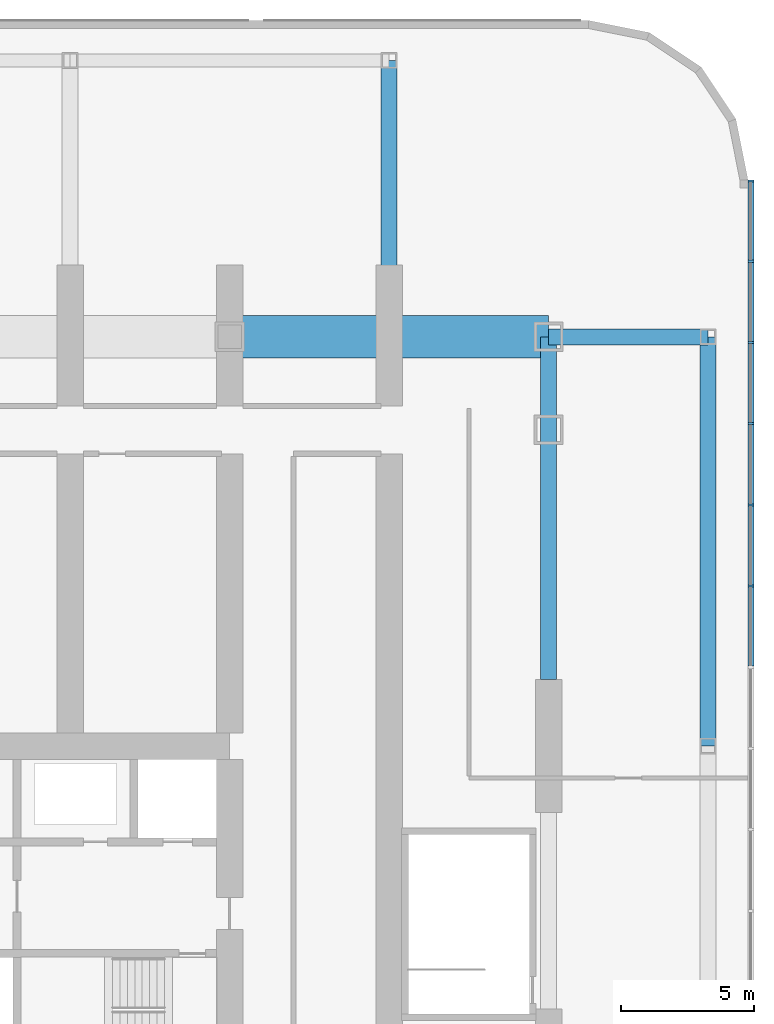
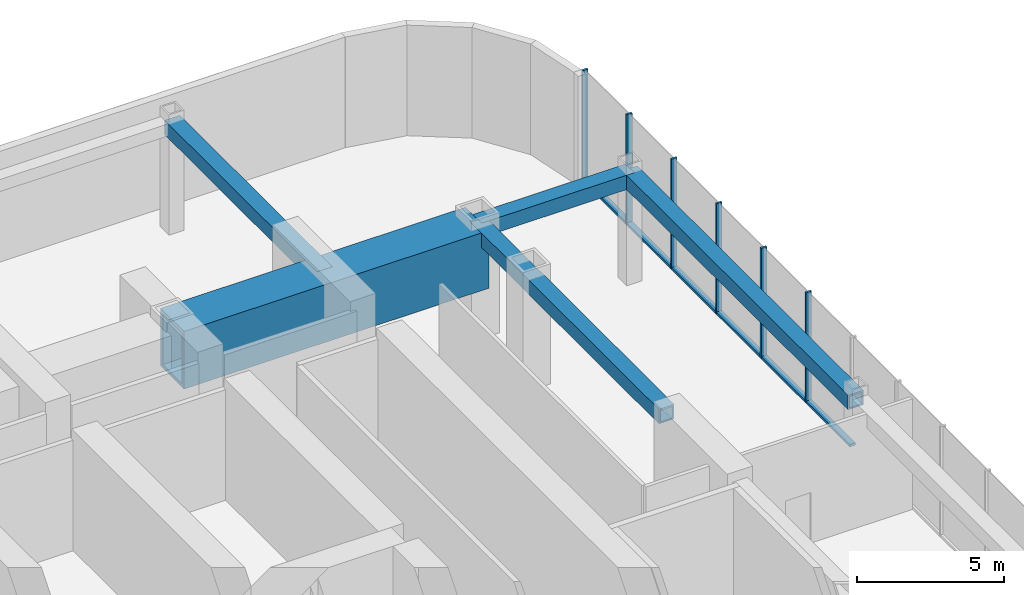
# One storey, part 9 of 26: 12 members, 5 beams, 1 element without a shape of its own.
"""IFC4 building model written with IfcOpenShell, lengths in metres."""

from ifc_helpers import new_model, si_unit, direction, frame, origin, origin_2d, place, context, subcontext, project, spatial, rectangle, hollow_rectangle, extrude, material, material_profile, profile_set, type_object, element, aggregate, save


model = new_model("IFC4")

# Units and contexts
model_context = context("Model", 3, precision=1e-05, world=origin(), true_north=direction((0.0, 1.0)))
body_context = subcontext(model_context, "Body", "Model", "MODEL_VIEW")
ifc_project = project(units=[si_unit("LENGTHUNIT", "METRE"), si_unit("AREAUNIT", "SQUARE_METRE"), si_unit("VOLUMEUNIT", "CUBIC_METRE"), si_unit("PLANEANGLEUNIT", "RADIAN"), si_unit("MASSUNIT", "GRAM", prefix="KILO")], contexts=[model_context])

# Site, building, storey
site_placement = place(None, origin())
site = spatial("IfcSite", under=ifc_project, at=site_placement, CompositionType="ELEMENT")
building_placement = place(site_placement, origin())
building = spatial("IfcBuilding", under=site, at=building_placement, Name="Orbita Commons", CompositionType="ELEMENT")
storey_placement = place(building_placement, frame((0.0, 0.0, 11.0)))
storey = spatial("IfcBuildingStorey", under=building, at=storey_placement, Name="L02", CompositionType="ELEMENT", Elevation=11.0)

# Curtain wall, members
ifc_material_1 = material(Name="Anodised aluminium frame, pale silver", Category="aluminium")
curtain_wall_type = type_object("IfcCurtainWallType", Name="Podium storefront curtain wall CW-P", PredefinedType="NOTDEFINED", material=ifc_material_1)
curtain_wall_placement = place(storey_placement, origin())
curtain_wall = element("IfcCurtainWall", 1, at=curtain_wall_placement, inside=storey, type_object=curtain_wall_type, Name="Curtain wall E 1 L02", PredefinedType="NOTDEFINED")
ifc_material_2 = material(Name="Anodised aluminium, pale silver", Category="aluminium")
ifc_material_profile_1 = material_profile(ifc_material_2, rectangle(XDim=0.080078125, YDim=0.219970703125, at=origin_2d()), Name="AL 80x220")
ifc_profile_set_1 = profile_set([ifc_material_profile_1], Name="Anodised aluminium, pale silver")
member_type_1 = type_object("IfcMemberType", Name="Curtain wall mullion 80x220", PredefinedType="MULLION", material=ifc_profile_set_1)
member_1_placement = place(storey_placement, frame((85.610107421875, 44.22216796875, 0.0), z_axis=(0.0, 0.0, 1.0), x_axis=(0.0, 1.0, 0.0)))
member_1 = element("IfcMember", 2, at=member_1_placement, type_object=member_type_1, Name="Mullion 14 CW-L02-E0", PredefinedType="MULLION", context=body_context, shape_type="SweptSolid", body=[
    extrude(rectangle(XDim=0.080078125, YDim=0.219970703125, at=origin_2d()), origin(), (0.0, 0.0, 1.0), 4.60009765625),
])
member_2_placement = place(storey_placement, frame((85.610107421875, 47.27783203125, 0.0), z_axis=(0.0, 0.0, 1.0), x_axis=(0.0, 1.0, 0.0)))
member_2 = element("IfcMember", 3, at=member_2_placement, type_object=member_type_1, Name="Mullion 15 CW-L02-E0", PredefinedType="MULLION", context=body_context, shape_type="SweptSolid", body=[
    extrude(rectangle(XDim=0.080078125, YDim=0.219970703125, at=origin_2d()), origin(), (0.0, 0.0, 1.0), 4.60009765625),
])
member_3_placement = place(storey_placement, frame((85.610107421875, 50.333251953125, 0.0), z_axis=(0.0, 0.0, 1.0), x_axis=(0.0, 1.0, 0.0)))
member_3 = element("IfcMember", 4, at=member_3_placement, type_object=member_type_1, Name="Mullion 16 CW-L02-E0", PredefinedType="MULLION", context=body_context, shape_type="SweptSolid", body=[
    extrude(rectangle(XDim=0.080078125, YDim=0.219970703125, at=origin_2d()), origin(), (0.0, 0.0, 1.0), 4.60009765625),
])
member_4_placement = place(storey_placement, frame((85.610107421875, 53.388916015625, 0.0), z_axis=(0.0, 0.0, 1.0), x_axis=(0.0, 1.0, 0.0)))
member_4 = element("IfcMember", 5, at=member_4_placement, type_object=member_type_1, Name="Mullion 17 CW-L02-E0", PredefinedType="MULLION", context=body_context, shape_type="SweptSolid", body=[
    extrude(rectangle(XDim=0.080078125, YDim=0.219970703125, at=origin_2d()), origin(), (0.0, 0.0, 1.0), 4.60009765625),
])
member_5_placement = place(storey_placement, frame((85.610107421875, 56.4443359375, 0.0), z_axis=(0.0, 0.0, 1.0), x_axis=(0.0, 1.0, 0.0)))
member_5 = element("IfcMember", 6, at=member_5_placement, type_object=member_type_1, Name="Mullion 18 CW-L02-E0", PredefinedType="MULLION", context=body_context, shape_type="SweptSolid", body=[
    extrude(rectangle(XDim=0.080078125, YDim=0.219970703125, at=origin_2d()), origin(), (0.0, 0.0, 1.0), 4.60009765625),
])
member_6_placement = place(storey_placement, frame((85.610107421875, 59.4599609375, 0.0), z_axis=(0.0, 0.0, 1.0), x_axis=(0.0, 1.0, 0.0)))
member_6 = element("IfcMember", 7, at=member_6_placement, type_object=member_type_1, Name="Mullion 19 CW-L02-E0", PredefinedType="MULLION", context=body_context, shape_type="SweptSolid", body=[
    extrude(rectangle(XDim=0.080078125, YDim=0.219970703125, at=origin_2d()), origin(), (0.0, 0.0, 1.0), 4.60009765625),
])
ifc_material_3 = material(Name="Anodised aluminium, pale silver", Category="aluminium")
ifc_material_profile_2 = material_profile(ifc_material_3, rectangle(XDim=0.219970703125, YDim=0.10009765625, at=origin_2d()), Name="AL 220x100")
ifc_profile_set_2 = profile_set([ifc_material_profile_2], Name="Anodised aluminium, pale silver")
member_type_2 = type_object("IfcMemberType", Name="Curtain wall stack transom 220x100", PredefinedType="USERDEFINED", material=ifc_profile_set_2)
member_7_placement = place(storey_placement, frame((85.610107421875, 41.206787109375, 0.050048828125), z_axis=(0.0, 1.0, 0.0), x_axis=(-1.0, 0.0, 0.0)))
member_7 = element("IfcMember", 8, at=member_7_placement, type_object=member_type_2, Name="Transom 13.1 CW-L02-E0", ObjectType="TRANSOM", PredefinedType="USERDEFINED", context=body_context, shape_type="SweptSolid", body=[
    extrude(rectangle(XDim=0.219970703125, YDim=0.10009765625, at=origin_2d()), origin(), (0.0, 0.0, 1.0), 2.975341796875),
])
member_8_placement = place(storey_placement, frame((85.610107421875, 44.26220703125, 0.050048828125), z_axis=(0.0, 1.0, 0.0), x_axis=(-1.0, 0.0, 0.0)))
member_8 = element("IfcMember", 9, at=member_8_placement, type_object=member_type_2, Name="Transom 14.1 CW-L02-E0", ObjectType="TRANSOM", PredefinedType="USERDEFINED", context=body_context, shape_type="SweptSolid", body=[
    extrude(rectangle(XDim=0.219970703125, YDim=0.10009765625, at=origin_2d()), origin(), (0.0, 0.0, 1.0), 2.9755859375),
])
member_9_placement = place(storey_placement, frame((85.610107421875, 47.31787109375, 0.050048828125), z_axis=(0.0, 1.0, 0.0), x_axis=(-1.0, 0.0, 0.0)))
member_9 = element("IfcMember", 10, at=member_9_placement, type_object=member_type_2, Name="Transom 15.1 CW-L02-E0", ObjectType="TRANSOM", PredefinedType="USERDEFINED", context=body_context, shape_type="SweptSolid", body=[
    extrude(rectangle(XDim=0.219970703125, YDim=0.10009765625, at=origin_2d()), origin(), (0.0, 0.0, 1.0), 2.975341796875),
])
member_10_placement = place(storey_placement, frame((85.610107421875, 50.373291015625, 0.050048828125), z_axis=(0.0, 1.0, 0.0), x_axis=(-1.0, 0.0, 0.0)))
member_10 = element("IfcMember", 11, at=member_10_placement, type_object=member_type_2, Name="Transom 16.1 CW-L02-E0", ObjectType="TRANSOM", PredefinedType="USERDEFINED", context=body_context, shape_type="SweptSolid", body=[
    extrude(rectangle(XDim=0.219970703125, YDim=0.10009765625, at=origin_2d()), origin(), (0.0, 0.0, 1.0), 2.9755859375),
])
member_11_placement = place(storey_placement, frame((85.610107421875, 53.428955078125, 0.050048828125), z_axis=(0.0, 1.0, 0.0), x_axis=(-1.0, 0.0, 0.0)))
member_11 = element("IfcMember", 12, at=member_11_placement, type_object=member_type_2, Name="Transom 17.1 CW-L02-E0", ObjectType="TRANSOM", PredefinedType="USERDEFINED", context=body_context, shape_type="SweptSolid", body=[
    extrude(rectangle(XDim=0.219970703125, YDim=0.10009765625, at=origin_2d()), origin(), (0.0, 0.0, 1.0), 2.9755859375),
])
member_12_placement = place(storey_placement, frame((85.610107421875, 56.484375, 0.050048828125), z_axis=(0.0, 1.0, 0.0), x_axis=(-1.0, 0.0, 0.0)))
member_12 = element("IfcMember", 13, at=member_12_placement, type_object=member_type_2, Name="Transom 18.1 CW-L02-E0", ObjectType="TRANSOM", PredefinedType="USERDEFINED", context=body_context, shape_type="SweptSolid", body=[
    extrude(rectangle(XDim=0.219970703125, YDim=0.10009765625, at=origin_2d()), origin(), (0.0, 0.0, 1.0), 2.935546875),
])
aggregate(curtain_wall, [member_1, member_2, member_3, member_4, member_5, member_6, member_7, member_8, member_9, member_10, member_11, member_12])

# Beams
ifc_material_4 = material(Name="Steel ASTM A572 Gr 50 welded plate", Category="steel")
ifc_material_profile_3 = material_profile(ifc_material_4, hollow_rectangle(XDim=0.60009765625, YDim=0.60009765625, WallThickness=0.06005859375, at=origin_2d()), Name="BOX 600x600x60")
ifc_profile_set_3 = profile_set([ifc_material_profile_3], Name="Steel ASTM A572 Gr 50 welded plate")
beam_type_1 = type_object("IfcBeamType", Name="Steel podium beam BOX 600x600x60", PredefinedType="BEAM", material=ifc_profile_set_3)
beam_1_placement = place(storey_placement, frame((72.0, 53.60009765625, 4.300048828125), z_axis=(0.0, 1.0, 0.0), x_axis=(-1.0, 0.0, 0.0)))
element("IfcBeam", 14, at=beam_1_placement, inside=storey, type_object=beam_type_1, Name="Podium beam 13 E-F L02", PredefinedType="BEAM", context=body_context, shape_type="SweptSolid", body=[
    extrude(hollow_rectangle(XDim=0.60009765625, YDim=0.60009765625, WallThickness=0.06005859375, at=origin_2d()), origin(), (0.0, 0.0, 1.0), 10.39990234375),
])
beam_2_placement = place(storey_placement, frame((78.0, 53.60009765625, 4.300048828125), z_axis=(1.0, 0.0, 0.0), x_axis=(0.0, 1.0, 0.0)))
element("IfcBeam", 15, at=beam_2_placement, inside=storey, type_object=beam_type_1, Name="Podium beam E 14-15 L02", PredefinedType="BEAM", context=body_context, shape_type="SweptSolid", body=[
    extrude(hollow_rectangle(XDim=0.60009765625, YDim=0.60009765625, WallThickness=0.06005859375, at=origin_2d()), origin(), (0.0, 0.0, 1.0), 6.0),
])
beam_3_placement = place(storey_placement, frame((84.0, 38.199951171875, 4.300048828125), z_axis=(0.0, 1.0, 0.0), x_axis=(-1.0, 0.0, 0.0)))
element("IfcBeam", 16, at=beam_3_placement, inside=storey, type_object=beam_type_1, Name="Podium beam 15 D-E L02", PredefinedType="BEAM", context=body_context, shape_type="SweptSolid", body=[
    extrude(hollow_rectangle(XDim=0.60009765625, YDim=0.60009765625, WallThickness=0.06005859375, at=origin_2d()), origin(), (0.0, 0.0, 1.0), 15.400146484375),
])
beam_4_placement = place(storey_placement, frame((78.0, 40.699951171875, 4.300048828125), z_axis=(0.0, 1.0, 0.0), x_axis=(-1.0, 0.0, 0.0)))
element("IfcBeam", 17, at=beam_4_placement, inside=storey, type_object=beam_type_1, Name="Podium beam 14 D-E L02", PredefinedType="BEAM", context=body_context, shape_type="SweptSolid", body=[
    extrude(hollow_rectangle(XDim=0.60009765625, YDim=0.60009765625, WallThickness=0.06005859375, at=origin_2d()), origin(), (0.0, 0.0, 1.0), 12.900146484375),
])
ifc_material_5 = material(Name="Steel ASTM A572 Gr 42 welded plate", Category="steel")
ifc_material_profile_4 = material_profile(ifc_material_5, hollow_rectangle(XDim=1.60009765625, YDim=2.39990234375, WallThickness=0.14990234375, at=origin_2d()), Name="BOX 2400x1600x150")
ifc_profile_set_4 = profile_set([ifc_material_profile_4], Name="Steel ASTM A572 Gr 42 welded plate")
beam_type_2 = type_object("IfcBeamType", Name="Steel transfer girder BOX 2400x1600x150", PredefinedType="BEAM", material=ifc_profile_set_4)
beam_5_placement = place(storey_placement, frame((66.0, 53.60009765625, 3.39990234375), z_axis=(1.0, 0.0, 0.0), x_axis=(0.0, 1.0, 0.0)))
element("IfcBeam", 18, at=beam_5_placement, inside=storey, type_object=beam_type_2, Name="Transfer girder E 12-14", PredefinedType="BEAM", context=body_context, shape_type="SweptSolid", body=[
    extrude(hollow_rectangle(XDim=1.60009765625, YDim=2.39990234375, WallThickness=0.14990234375, at=origin_2d()), origin(), (0.0, 0.0, 1.0), 12.0),
])

save(model, "model.ifc")
